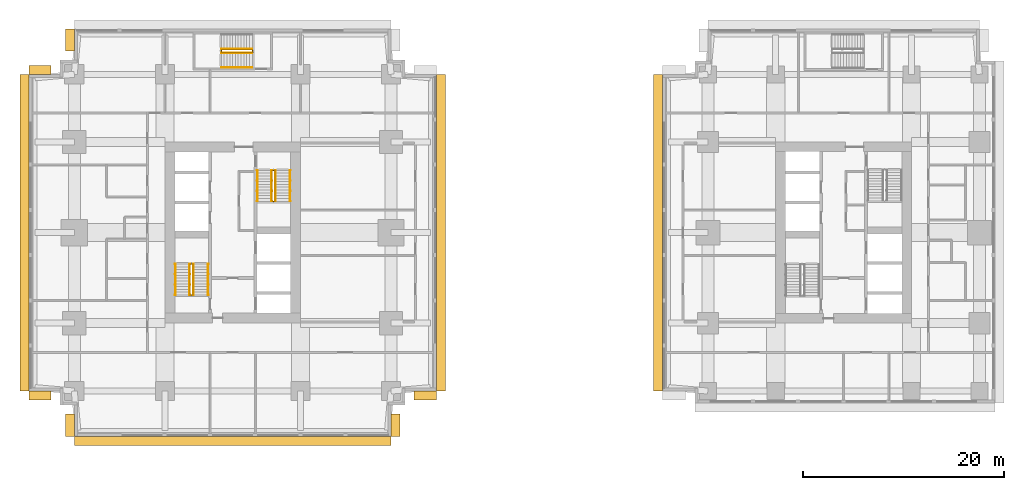
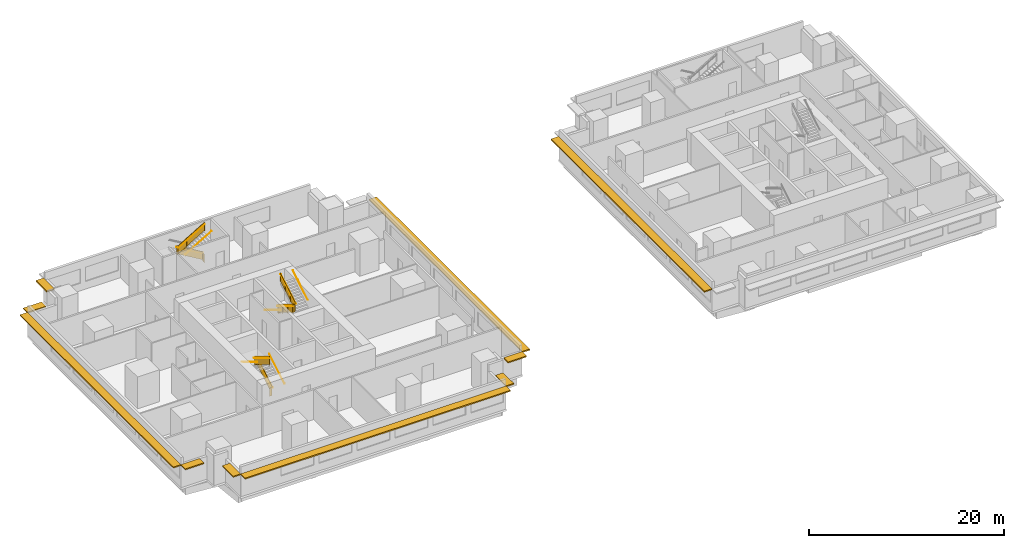
# One storey, part 9 of 11: 14 railings, 10 shading devices.
"""IFC4 building model written with IfcOpenShell, lengths in metres."""

from ifc_helpers import new_model, si_unit, direction, frame, origin, origin_2d, place, context, subcontext, project, spatial, polyline, rectangle, circle, outline, extrude, material, layer, layer_set, type_object, element, save


model = new_model("IFC4")

# Units and contexts
model_context = context("Model", 3, precision=1e-05, world=origin(), true_north=direction((0.0, 1.0)))
body_context = subcontext(model_context, "Body", "Model", "MODEL_VIEW")
ifc_project = project(units=[si_unit("LENGTHUNIT", "METRE"), si_unit("AREAUNIT", "SQUARE_METRE"), si_unit("VOLUMEUNIT", "CUBIC_METRE"), si_unit("PLANEANGLEUNIT", "RADIAN"), si_unit("MASSUNIT", "GRAM", prefix="KILO")], contexts=[model_context])

# Site, building, storey
site_placement = place(None, origin())
site = spatial("IfcSite", under=ifc_project, at=site_placement, CompositionType="ELEMENT")
building_placement = place(site_placement, origin())
building = spatial("IfcBuilding", under=site, at=building_placement, Name="Namib Vertical Campus", CompositionType="ELEMENT")
storey_placement = place(building_placement, frame((0.0, 0.0, 97.0)))
storey = spatial("IfcBuildingStorey", under=building, at=storey_placement, Name="L22", CompositionType="ELEMENT", Elevation=97.0)

# Railings
ifc_material_1 = material(Name="Steel handrail", Category="steel")
railing_type_1 = type_object("IfcRailingType", Name="Handrail 900", PredefinedType="HANDRAIL", material=ifc_material_1)
railing_1_placement = place(storey_placement, frame((17.800048828125, 14.050048828125, 0.166748046875)))
element("IfcRailing", 1, at=railing_1_placement, inside=storey, type_object=railing_type_1, Name="Handrail HR1 A-S1 L22 1", PredefinedType="HANDRAIL", context=body_context, shape_type="SweptSolid", body=[
    extrude(circle(Radius=0.02392578125, at=origin_2d()), frame((0.0, 0.0, 0.8759765625), z_axis=(0.0, 0.859290745958, 0.51148745235), x_axis=(-1.0, 0.0, 0.0)), (0.0, 0.0, 1.0), 3.584228515625),
    extrude(circle(Radius=0.008056640625, at=origin_2d()), frame((0.0, 0.0, 0.8759765625), z_axis=(1.0, 0.0, 0.0), x_axis=(0.0, 0.0, 1.0)), (0.0, 0.0, 1.0), 0.050048828125),
    extrude(circle(Radius=0.008056640625, at=origin_2d()), frame((0.0, 1.026611328125, 1.48681640625), z_axis=(1.0, 0.0, 0.0), x_axis=(0.0, 0.0, 1.0)), (0.0, 0.0, 1.0), 0.050048828125),
    extrude(circle(Radius=0.008056640625, at=origin_2d()), frame((0.0, 2.05322265625, 2.09814453125), z_axis=(1.0, 0.0, 0.0), x_axis=(0.0, 0.0, 1.0)), (0.0, 0.0, 1.0), 0.050048828125),
    extrude(circle(Radius=0.008056640625, at=origin_2d()), frame((0.0, 3.079833984375, 2.708984375), z_axis=(1.0, 0.0, 0.0), x_axis=(0.0, 0.0, 1.0)), (0.0, 0.0, 1.0), 0.050048828125),
])
railing_2_placement = place(storey_placement, frame((14.550048828125, 17.1298828125, 2.166748046875)))
element("IfcRailing", 2, at=railing_2_placement, inside=storey, type_object=railing_type_1, Name="Handrail HR1 A-S1 L22 2", PredefinedType="HANDRAIL", context=body_context, shape_type="SweptSolid", body=[
    extrude(circle(Radius=0.02392578125, at=origin_2d()), frame((0.0, 0.0, 0.8759765625), z_axis=(0.0, -0.859290745958, 0.51148745235), x_axis=(1.0, 0.0, 0.0)), (0.0, 0.0, 1.0), 3.584228515625),
    extrude(circle(Radius=0.008056640625, at=origin_2d()), frame((0.0, 0.0, 0.8759765625), z_axis=(-1.0, 0.0, 0.0), x_axis=(0.0, 0.0, 1.0)), (0.0, 0.0, 1.0), 0.050048828125),
    extrude(circle(Radius=0.008056640625, at=origin_2d()), frame((0.0, -1.026611328125, 1.48681640625), z_axis=(-1.0, 0.0, 0.0), x_axis=(0.0, 0.0, 1.0)), (0.0, 0.0, 1.0), 0.050048828125),
    extrude(circle(Radius=0.008056640625, at=origin_2d()), frame((0.0, -2.05322265625, 2.09814453125), z_axis=(-1.0, 0.0, 0.0), x_axis=(0.0, 0.0, 1.0)), (0.0, 0.0, 1.0), 0.050048828125),
    extrude(circle(Radius=0.008056640625, at=origin_2d()), frame((0.0, -3.079833984375, 2.708984375), z_axis=(-1.0, 0.0, 0.0), x_axis=(0.0, 0.0, 1.0)), (0.0, 0.0, 1.0), 0.050048828125),
])
railing_3_placement = place(storey_placement, frame((16.375, 14.050048828125, 0.166748046875)))
element("IfcRailing", 3, at=railing_3_placement, inside=storey, type_object=railing_type_1, Name="Handrail HR1 A-S1 L22 1 at the well", PredefinedType="HANDRAIL", context=body_context, shape_type="SweptSolid", body=[
    extrude(circle(Radius=0.02392578125, at=origin_2d()), frame((0.0, 0.0, 0.8759765625), z_axis=(0.0, 0.859290745958, 0.51148745235), x_axis=(-1.0, 0.0, 0.0)), (0.0, 0.0, 1.0), 3.584228515625),
    extrude(circle(Radius=0.008056640625, at=origin_2d()), frame((0.0, 0.0, 0.8759765625), z_axis=(-1.0, 0.0, 0.0), x_axis=(0.0, 0.0, 1.0)), (0.0, 0.0, 1.0), 0.0400390625),
    extrude(circle(Radius=0.008056640625, at=origin_2d()), frame((0.0, 1.026611328125, 1.48681640625), z_axis=(-1.0, 0.0, 0.0), x_axis=(0.0, 0.0, 1.0)), (0.0, 0.0, 1.0), 0.0400390625),
    extrude(circle(Radius=0.008056640625, at=origin_2d()), frame((0.0, 2.05322265625, 2.09814453125), z_axis=(-1.0, 0.0, 0.0), x_axis=(0.0, 0.0, 1.0)), (0.0, 0.0, 1.0), 0.0400390625),
    extrude(circle(Radius=0.008056640625, at=origin_2d()), frame((0.0, 3.079833984375, 2.708984375), z_axis=(-1.0, 0.0, 0.0), x_axis=(0.0, 0.0, 1.0)), (0.0, 0.0, 1.0), 0.0400390625),
])
railing_4_placement = place(storey_placement, frame((15.97509765625, 17.1298828125, 2.166748046875)))
element("IfcRailing", 4, at=railing_4_placement, inside=storey, type_object=railing_type_1, Name="Handrail HR1 A-S1 L22 2 at the well", PredefinedType="HANDRAIL", context=body_context, shape_type="SweptSolid", body=[
    extrude(circle(Radius=0.02392578125, at=origin_2d()), frame((0.0, 0.0, 0.8759765625), z_axis=(0.0, -0.859290745958, 0.51148745235), x_axis=(1.0, 0.0, 0.0)), (0.0, 0.0, 1.0), 3.584228515625),
    extrude(circle(Radius=0.008056640625, at=origin_2d()), frame((0.0, 0.0, 0.8759765625), z_axis=(1.0, 0.0, 0.0), x_axis=(0.0, 0.0, 1.0)), (0.0, 0.0, 1.0), 0.0400390625),
    extrude(circle(Radius=0.008056640625, at=origin_2d()), frame((0.0, -1.026611328125, 1.48681640625), z_axis=(1.0, 0.0, 0.0), x_axis=(0.0, 0.0, 1.0)), (0.0, 0.0, 1.0), 0.0400390625),
    extrude(circle(Radius=0.008056640625, at=origin_2d()), frame((0.0, -2.05322265625, 2.09814453125), z_axis=(1.0, 0.0, 0.0), x_axis=(0.0, 0.0, 1.0)), (0.0, 0.0, 1.0), 0.0400390625),
    extrude(circle(Radius=0.008056640625, at=origin_2d()), frame((0.0, -3.079833984375, 2.708984375), z_axis=(1.0, 0.0, 0.0), x_axis=(0.0, 0.0, 1.0)), (0.0, 0.0, 1.0), 0.0400390625),
])
railing_5_placement = place(storey_placement, frame((22.699951171875, 26.449951171875, 0.166748046875)))
element("IfcRailing", 5, at=railing_5_placement, inside=storey, type_object=railing_type_1, Name="Handrail HR1 A-S2 L22 1", PredefinedType="HANDRAIL", context=body_context, shape_type="SweptSolid", body=[
    extrude(circle(Radius=0.02392578125, at=origin_2d()), frame((0.0, 0.0, 0.8759765625), z_axis=(0.0, -0.859290745958, 0.51148745235), x_axis=(1.0, 0.0, 0.0)), (0.0, 0.0, 1.0), 3.584228515625),
    extrude(circle(Radius=0.008056640625, at=origin_2d()), frame((0.0, 0.0, 0.8759765625), z_axis=(-1.0, 0.0, 0.0), x_axis=(0.0, 0.0, 1.0)), (0.0, 0.0, 1.0), 0.050048828125),
    extrude(circle(Radius=0.008056640625, at=origin_2d()), frame((0.0, -1.026611328125, 1.48681640625), z_axis=(-1.0, 0.0, 0.0), x_axis=(0.0, 0.0, 1.0)), (0.0, 0.0, 1.0), 0.050048828125),
    extrude(circle(Radius=0.008056640625, at=origin_2d()), frame((0.0, -2.05322265625, 2.09814453125), z_axis=(-1.0, 0.0, 0.0), x_axis=(0.0, 0.0, 1.0)), (0.0, 0.0, 1.0), 0.050048828125),
    extrude(circle(Radius=0.008056640625, at=origin_2d()), frame((0.0, -3.079833984375, 2.708984375), z_axis=(-1.0, 0.0, 0.0), x_axis=(0.0, 0.0, 1.0)), (0.0, 0.0, 1.0), 0.050048828125),
])
railing_6_placement = place(storey_placement, frame((25.949951171875, 23.3701171875, 2.166748046875)))
element("IfcRailing", 6, at=railing_6_placement, inside=storey, type_object=railing_type_1, Name="Handrail HR1 A-S2 L22 2", PredefinedType="HANDRAIL", context=body_context, shape_type="SweptSolid", body=[
    extrude(circle(Radius=0.02392578125, at=origin_2d()), frame((0.0, 0.0, 0.8759765625), z_axis=(0.0, 0.859290745958, 0.51148745235), x_axis=(-1.0, 0.0, 0.0)), (0.0, 0.0, 1.0), 3.584228515625),
    extrude(circle(Radius=0.008056640625, at=origin_2d()), frame((0.0, 0.0, 0.8759765625), z_axis=(1.0, 0.0, 0.0), x_axis=(0.0, 0.0, 1.0)), (0.0, 0.0, 1.0), 0.050048828125),
    extrude(circle(Radius=0.008056640625, at=origin_2d()), frame((0.0, 1.026611328125, 1.48681640625), z_axis=(1.0, 0.0, 0.0), x_axis=(0.0, 0.0, 1.0)), (0.0, 0.0, 1.0), 0.050048828125),
    extrude(circle(Radius=0.008056640625, at=origin_2d()), frame((0.0, 2.05322265625, 2.09814453125), z_axis=(1.0, 0.0, 0.0), x_axis=(0.0, 0.0, 1.0)), (0.0, 0.0, 1.0), 0.050048828125),
    extrude(circle(Radius=0.008056640625, at=origin_2d()), frame((0.0, 3.079833984375, 2.708984375), z_axis=(1.0, 0.0, 0.0), x_axis=(0.0, 0.0, 1.0)), (0.0, 0.0, 1.0), 0.050048828125),
])
railing_7_placement = place(storey_placement, frame((24.125, 26.449951171875, 0.166748046875)))
element("IfcRailing", 7, at=railing_7_placement, inside=storey, type_object=railing_type_1, Name="Handrail HR1 A-S2 L22 1 at the well", PredefinedType="HANDRAIL", context=body_context, shape_type="SweptSolid", body=[
    extrude(circle(Radius=0.02392578125, at=origin_2d()), frame((0.0, 0.0, 0.8759765625), z_axis=(0.0, -0.859290745958, 0.51148745235), x_axis=(1.0, 0.0, 0.0)), (0.0, 0.0, 1.0), 3.584228515625),
    extrude(circle(Radius=0.008056640625, at=origin_2d()), frame((0.0, 0.0, 0.8759765625), z_axis=(1.0, 0.0, 0.0), x_axis=(0.0, 0.0, 1.0)), (0.0, 0.0, 1.0), 0.0400390625),
    extrude(circle(Radius=0.008056640625, at=origin_2d()), frame((0.0, -1.026611328125, 1.48681640625), z_axis=(1.0, 0.0, 0.0), x_axis=(0.0, 0.0, 1.0)), (0.0, 0.0, 1.0), 0.0400390625),
    extrude(circle(Radius=0.008056640625, at=origin_2d()), frame((0.0, -2.05322265625, 2.09814453125), z_axis=(1.0, 0.0, 0.0), x_axis=(0.0, 0.0, 1.0)), (0.0, 0.0, 1.0), 0.0400390625),
    extrude(circle(Radius=0.008056640625, at=origin_2d()), frame((0.0, -3.079833984375, 2.708984375), z_axis=(1.0, 0.0, 0.0), x_axis=(0.0, 0.0, 1.0)), (0.0, 0.0, 1.0), 0.0400390625),
])
railing_8_placement = place(storey_placement, frame((24.52490234375, 23.3701171875, 2.166748046875)))
element("IfcRailing", 8, at=railing_8_placement, inside=storey, type_object=railing_type_1, Name="Handrail HR1 A-S2 L22 2 at the well", PredefinedType="HANDRAIL", context=body_context, shape_type="SweptSolid", body=[
    extrude(circle(Radius=0.02392578125, at=origin_2d()), frame((0.0, 0.0, 0.8759765625), z_axis=(0.0, 0.859290745958, 0.51148745235), x_axis=(-1.0, 0.0, 0.0)), (0.0, 0.0, 1.0), 3.584228515625),
    extrude(circle(Radius=0.008056640625, at=origin_2d()), frame((0.0, 0.0, 0.8759765625), z_axis=(-1.0, 0.0, 0.0), x_axis=(0.0, 0.0, 1.0)), (0.0, 0.0, 1.0), 0.0400390625),
    extrude(circle(Radius=0.008056640625, at=origin_2d()), frame((0.0, 1.026611328125, 1.48681640625), z_axis=(-1.0, 0.0, 0.0), x_axis=(0.0, 0.0, 1.0)), (0.0, 0.0, 1.0), 0.0400390625),
    extrude(circle(Radius=0.008056640625, at=origin_2d()), frame((0.0, 2.05322265625, 2.09814453125), z_axis=(-1.0, 0.0, 0.0), x_axis=(0.0, 0.0, 1.0)), (0.0, 0.0, 1.0), 0.0400390625),
    extrude(circle(Radius=0.008056640625, at=origin_2d()), frame((0.0, 3.079833984375, 2.708984375), z_axis=(-1.0, 0.0, 0.0), x_axis=(0.0, 0.0, 1.0)), (0.0, 0.0, 1.0), 0.0400390625),
])
railing_9_placement = place(storey_placement, frame((19.1201171875, 36.699951171875, 2.166748046875)))
element("IfcRailing", 9, at=railing_9_placement, inside=storey, type_object=railing_type_1, Name="Handrail HR1 A-S3 L22 2", PredefinedType="HANDRAIL", context=body_context, shape_type="SweptSolid", body=[
    extrude(circle(Radius=0.02392578125, at=origin_2d()), frame((0.0, 0.0, 0.8759765625), z_axis=(0.859290745958, 0.0, 0.51148745235), x_axis=(0.0, 1.0, 0.0)), (0.0, 0.0, 1.0), 3.584228515625),
    extrude(circle(Radius=0.008056640625, at=origin_2d()), frame((0.0, 0.0, 0.8759765625), z_axis=(0.0, -1.0, 0.0), x_axis=(0.0, 0.0, 1.0)), (0.0, 0.0, 1.0), 0.050048828125),
    extrude(circle(Radius=0.008056640625, at=origin_2d()), frame((1.026611328125, 0.0, 1.48681640625), z_axis=(0.0, -1.0, 0.0), x_axis=(0.0, 0.0, 1.0)), (0.0, 0.0, 1.0), 0.050048828125),
    extrude(circle(Radius=0.008056640625, at=origin_2d()), frame((2.05322265625, 0.0, 2.09814453125), z_axis=(0.0, -1.0, 0.0), x_axis=(0.0, 0.0, 1.0)), (0.0, 0.0, 1.0), 0.050048828125),
    extrude(circle(Radius=0.008056640625, at=origin_2d()), frame((3.079833984375, 0.0, 2.708984375), z_axis=(0.0, -1.0, 0.0), x_axis=(0.0, 0.0, 1.0)), (0.0, 0.0, 1.0), 0.050048828125),
])
railing_10_placement = place(storey_placement, frame((22.199951171875, 38.52490234375, 0.166748046875)))
element("IfcRailing", 10, at=railing_10_placement, inside=storey, type_object=railing_type_1, Name="Handrail HR1 A-S3 L22 1 at the well", PredefinedType="HANDRAIL", context=body_context, shape_type="SweptSolid", body=[
    extrude(circle(Radius=0.02392578125, at=origin_2d()), frame((0.0, 0.0, 0.8759765625), z_axis=(-0.859290745958, 0.0, 0.51148745235), x_axis=(0.0, -1.0, 0.0)), (0.0, 0.0, 1.0), 3.584228515625),
    extrude(circle(Radius=0.008056640625, at=origin_2d()), frame((0.0, 0.0, 0.8759765625), z_axis=(0.0, -1.0, 0.0), x_axis=(0.0, 0.0, 1.0)), (0.0, 0.0, 1.0), 0.0400390625),
    extrude(circle(Radius=0.008056640625, at=origin_2d()), frame((-1.026611328125, 0.0, 1.48681640625), z_axis=(0.0, -1.0, 0.0), x_axis=(0.0, 0.0, 1.0)), (0.0, 0.0, 1.0), 0.0400390625),
    extrude(circle(Radius=0.008056640625, at=origin_2d()), frame((-2.05322265625, 0.0, 2.09814453125), z_axis=(0.0, -1.0, 0.0), x_axis=(0.0, 0.0, 1.0)), (0.0, 0.0, 1.0), 0.0400390625),
    extrude(circle(Radius=0.008056640625, at=origin_2d()), frame((-3.079833984375, 0.0, 2.708984375), z_axis=(0.0, -1.0, 0.0), x_axis=(0.0, 0.0, 1.0)), (0.0, 0.0, 1.0), 0.0400390625),
])
railing_11_placement = place(storey_placement, frame((19.1201171875, 38.125, 2.166748046875)))
element("IfcRailing", 11, at=railing_11_placement, inside=storey, type_object=railing_type_1, Name="Handrail HR1 A-S3 L22 2 at the well", PredefinedType="HANDRAIL", context=body_context, shape_type="SweptSolid", body=[
    extrude(circle(Radius=0.02392578125, at=origin_2d()), frame((0.0, 0.0, 0.8759765625), z_axis=(0.859290745958, 0.0, 0.51148745235), x_axis=(0.0, 1.0, 0.0)), (0.0, 0.0, 1.0), 3.584228515625),
    extrude(circle(Radius=0.008056640625, at=origin_2d()), frame((0.0, 0.0, 0.8759765625), z_axis=(0.0, 1.0, 0.0), x_axis=(0.0, 0.0, 1.0)), (0.0, 0.0, 1.0), 0.0400390625),
    extrude(circle(Radius=0.008056640625, at=origin_2d()), frame((1.026611328125, 0.0, 1.48681640625), z_axis=(0.0, 1.0, 0.0), x_axis=(0.0, 0.0, 1.0)), (0.0, 0.0, 1.0), 0.0400390625),
    extrude(circle(Radius=0.008056640625, at=origin_2d()), frame((2.05322265625, 0.0, 2.09814453125), z_axis=(0.0, 1.0, 0.0), x_axis=(0.0, 0.0, 1.0)), (0.0, 0.0, 1.0), 0.0400390625),
    extrude(circle(Radius=0.008056640625, at=origin_2d()), frame((3.079833984375, 0.0, 2.708984375), z_axis=(0.0, 1.0, 0.0), x_axis=(0.0, 0.0, 1.0)), (0.0, 0.0, 1.0), 0.0400390625),
])
ifc_material_2 = material(Name="Steel balustrade", Category="steel")
railing_type_2 = type_object("IfcRailingType", Name="Stair guard 1100", PredefinedType="GUARDRAIL", material=ifc_material_2)
railing_12_placement = place(storey_placement, frame((16.02490234375, 14.050048828125, 0.0)))
element("IfcRailing", 12, at=railing_12_placement, inside=storey, type_object=railing_type_2, Name="Stair guard GR1 A-S1 L22", PredefinedType="GUARDRAIL", context=body_context, shape_type="SweptSolid", body=[
    extrude(circle(Radius=0.02392578125, at=origin_2d()), frame((0.0, 0.0, 1.076171875), z_axis=(1.0, 0.0, 0.0), x_axis=(0.0, 1.0, 0.0)), (0.0, 0.0, 1.0), 0.300048828125),
    extrude(outline(polyline([(0.02099609375, 0.050048828125), (0.279052734375, 0.050048828125), (0.279052734375, 1.052001953125), (0.02099609375, 1.052001953125), (0.02099609375, 0.050048828125)])), frame((0.0, 0.010009765625, 0.0), z_axis=(0.0, -1.0, 0.0), x_axis=(1.0, 0.0, 0.0)), (0.0, 0.0, 1.0), 0.02001953125),
    extrude(circle(Radius=0.02392578125, at=origin_2d()), frame((0.300048828125, 0.0, 1.076171875), z_axis=(0.0, 0.0, 1.0), x_axis=(1.0, 0.0, 0.0)), (0.0, 0.0, 1.0), 0.166748046875),
    extrude(circle(Radius=0.02392578125, at=origin_2d()), frame((0.300048828125, 0.0, 1.24267578125), z_axis=(0.0, 0.859290745958, 0.51148745235), x_axis=(-1.0, 0.0, 0.0)), (0.0, 0.0, 1.0), 3.584228515625),
    extrude(outline(polyline([(0.02099609375, 0.0625), (3.058837890625, 1.870849609375), (3.058837890625, 2.872802734375), (0.02099609375, 1.064453125), (0.02099609375, 0.0625)])), frame((0.2900390625, 0.0, 0.166748046875), z_axis=(1.0, 0.0, 0.0), x_axis=(0.0, 1.0, 0.0)), (0.0, 0.0, 1.0), 0.02001953125),
    extrude(circle(Radius=0.02392578125, at=origin_2d()), frame((0.300048828125, 3.079833984375, 3.076171875), z_axis=(-1.0, 0.0, 0.0), x_axis=(0.0, -1.0, 0.0)), (0.0, 0.0, 1.0), 0.300048828125),
    extrude(outline(polyline([(0.02099609375, 0.050048828125), (0.279052734375, 0.050048828125), (0.279052734375, 1.052001953125), (0.02099609375, 1.052001953125), (0.02099609375, 0.050048828125)])), frame((0.300048828125, 3.06982421875, 2.0), z_axis=(0.0, 1.0, 0.0), x_axis=(-1.0, 0.0, 0.0)), (0.0, 0.0, 1.0), 0.02001953125),
    extrude(circle(Radius=0.02392578125, at=origin_2d()), frame((0.0, 3.079833984375, 3.076171875), z_axis=(0.0, 0.0, 1.0), x_axis=(1.0, 0.0, 0.0)), (0.0, 0.0, 1.0), 0.166748046875),
    extrude(circle(Radius=0.02392578125, at=origin_2d()), frame((0.0, 3.079833984375, 3.24267578125), z_axis=(0.0, -0.859290745958, 0.51148745235), x_axis=(1.0, 0.0, 0.0)), (0.0, 0.0, 1.0), 3.584228515625),
    extrude(outline(polyline([(0.02099609375, 0.0625), (3.058837890625, 1.870849609375), (3.058837890625, 2.872802734375), (0.02099609375, 1.064453125), (0.02099609375, 0.0625)])), frame((0.010009765625, 3.079833984375, 2.166748046875), z_axis=(-1.0, 0.0, 0.0), x_axis=(0.0, -1.0, 0.0)), (0.0, 0.0, 1.0), 0.02001953125),
    extrude(circle(Radius=0.02392578125, at=origin_2d()), frame((0.0, 0.0, 5.076171875), z_axis=(0.0, -1.0, 0.0), x_axis=(1.0, 0.0, 0.0)), (0.0, 0.0, 1.0), 0.050048828125),
    extrude(outline(polyline([(0.02099609375, 0.050048828125), (0.029052734375, 0.050048828125), (0.029052734375, 1.052001953125), (0.02099609375, 1.052001953125), (0.02099609375, 0.050048828125)])), frame((0.010009765625, 0.0, 4.0), z_axis=(-1.0, 0.0, 0.0), x_axis=(0.0, -1.0, 0.0)), (0.0, 0.0, 1.0), 0.02001953125),
    extrude(circle(Radius=0.02099609375, at=origin_2d()), origin(), (0.0, 0.0, 1.0), 1.052001953125),
    extrude(circle(Radius=0.02099609375, at=origin_2d()), frame((0.300048828125, 0.0, 0.166748046875)), (0.0, 0.0, 1.0), 1.052001953125),
    extrude(circle(Radius=0.02099609375, at=origin_2d()), frame((0.300048828125, 1.026611328125, 0.666748046875)), (0.0, 0.0, 1.0), 1.1630859375),
    extrude(circle(Radius=0.02099609375, at=origin_2d()), frame((0.300048828125, 2.05322265625, 1.33349609375)), (0.0, 0.0, 1.0), 1.107421875),
    extrude(circle(Radius=0.02099609375, at=origin_2d()), frame((0.300048828125, 3.079833984375, 2.0)), (0.0, 0.0, 1.0), 1.052001953125),
    extrude(circle(Radius=0.02099609375, at=origin_2d()), frame((0.0, 3.079833984375, 2.166748046875)), (0.0, 0.0, 1.0), 1.052001953125),
    extrude(circle(Radius=0.02099609375, at=origin_2d()), frame((0.0, 2.05322265625, 2.666748046875)), (0.0, 0.0, 1.0), 1.1630859375),
    extrude(circle(Radius=0.02099609375, at=origin_2d()), frame((0.0, 1.026611328125, 3.33349609375)), (0.0, 0.0, 1.0), 1.107421875),
    extrude(circle(Radius=0.02099609375, at=origin_2d()), frame((0.0, 0.0, 4.0)), (0.0, 0.0, 1.0), 1.052001953125),
    extrude(circle(Radius=0.02099609375, at=origin_2d()), frame((0.0, -0.050048828125, 4.0)), (0.0, 0.0, 1.0), 1.052001953125),
])
railing_13_placement = place(storey_placement, frame((24.47509765625, 26.449951171875, 0.0)))
element("IfcRailing", 13, at=railing_13_placement, inside=storey, type_object=railing_type_2, Name="Stair guard GR1 A-S2 L22", PredefinedType="GUARDRAIL", context=body_context, shape_type="SweptSolid", body=[
    extrude(circle(Radius=0.02392578125, at=origin_2d()), frame((0.0, 0.0, 1.076171875), z_axis=(-1.0, 0.0, 0.0), x_axis=(0.0, -1.0, 0.0)), (0.0, 0.0, 1.0), 0.300048828125),
    extrude(outline(polyline([(0.02099609375, 0.050048828125), (0.279052734375, 0.050048828125), (0.279052734375, 1.052001953125), (0.02099609375, 1.052001953125), (0.02099609375, 0.050048828125)])), frame((0.0, -0.010009765625, 0.0), z_axis=(0.0, 1.0, 0.0), x_axis=(-1.0, 0.0, 0.0)), (0.0, 0.0, 1.0), 0.02001953125),
    extrude(circle(Radius=0.02392578125, at=origin_2d()), frame((-0.300048828125, 0.0, 1.076171875), z_axis=(0.0, 0.0, 1.0), x_axis=(1.0, 0.0, 0.0)), (0.0, 0.0, 1.0), 0.166748046875),
    extrude(circle(Radius=0.02392578125, at=origin_2d()), frame((-0.300048828125, 0.0, 1.24267578125), z_axis=(0.0, -0.859290745958, 0.51148745235), x_axis=(1.0, 0.0, 0.0)), (0.0, 0.0, 1.0), 3.584228515625),
    extrude(outline(polyline([(0.02099609375, 0.0625), (3.058837890625, 1.870849609375), (3.058837890625, 2.872802734375), (0.02099609375, 1.064453125), (0.02099609375, 0.0625)])), frame((-0.2900390625, 0.0, 0.166748046875), z_axis=(-1.0, 0.0, 0.0), x_axis=(0.0, -1.0, 0.0)), (0.0, 0.0, 1.0), 0.02001953125),
    extrude(circle(Radius=0.02392578125, at=origin_2d()), frame((-0.300048828125, -3.079833984375, 3.076171875), z_axis=(1.0, 0.0, 0.0), x_axis=(0.0, 1.0, 0.0)), (0.0, 0.0, 1.0), 0.300048828125),
    extrude(outline(polyline([(0.02099609375, 0.050048828125), (0.279052734375, 0.050048828125), (0.279052734375, 1.052001953125), (0.02099609375, 1.052001953125), (0.02099609375, 0.050048828125)])), frame((-0.300048828125, -3.06982421875, 2.0), z_axis=(0.0, -1.0, 0.0), x_axis=(1.0, 0.0, 0.0)), (0.0, 0.0, 1.0), 0.02001953125),
    extrude(circle(Radius=0.02392578125, at=origin_2d()), frame((0.0, -3.079833984375, 3.076171875), z_axis=(0.0, 0.0, 1.0), x_axis=(1.0, 0.0, 0.0)), (0.0, 0.0, 1.0), 0.166748046875),
    extrude(circle(Radius=0.02392578125, at=origin_2d()), frame((0.0, -3.079833984375, 3.24267578125), z_axis=(0.0, 0.859290745958, 0.51148745235), x_axis=(-1.0, 0.0, 0.0)), (0.0, 0.0, 1.0), 3.584228515625),
    extrude(outline(polyline([(0.02099609375, 0.0625), (3.058837890625, 1.870849609375), (3.058837890625, 2.872802734375), (0.02099609375, 1.064453125), (0.02099609375, 0.0625)])), frame((-0.010009765625, -3.079833984375, 2.166748046875), z_axis=(1.0, 0.0, 0.0), x_axis=(0.0, 1.0, 0.0)), (0.0, 0.0, 1.0), 0.02001953125),
    extrude(circle(Radius=0.02392578125, at=origin_2d()), frame((0.0, 0.0, 5.076171875), z_axis=(0.0, 1.0, 0.0), x_axis=(-1.0, 0.0, 0.0)), (0.0, 0.0, 1.0), 0.050048828125),
    extrude(outline(polyline([(0.02099609375, 0.050048828125), (0.029052734375, 0.050048828125), (0.029052734375, 1.052001953125), (0.02099609375, 1.052001953125), (0.02099609375, 0.050048828125)])), frame((-0.010009765625, 0.0, 4.0), z_axis=(1.0, 0.0, 0.0), x_axis=(0.0, 1.0, 0.0)), (0.0, 0.0, 1.0), 0.02001953125),
    extrude(circle(Radius=0.02099609375, at=origin_2d()), origin(), (0.0, 0.0, 1.0), 1.052001953125),
    extrude(circle(Radius=0.02099609375, at=origin_2d()), frame((-0.300048828125, 0.0, 0.166748046875)), (0.0, 0.0, 1.0), 1.052001953125),
    extrude(circle(Radius=0.02099609375, at=origin_2d()), frame((-0.300048828125, -1.026611328125, 0.666748046875)), (0.0, 0.0, 1.0), 1.1630859375),
    extrude(circle(Radius=0.02099609375, at=origin_2d()), frame((-0.300048828125, -2.05322265625, 1.33349609375)), (0.0, 0.0, 1.0), 1.107421875),
    extrude(circle(Radius=0.02099609375, at=origin_2d()), frame((-0.300048828125, -3.079833984375, 2.0)), (0.0, 0.0, 1.0), 1.052001953125),
    extrude(circle(Radius=0.02099609375, at=origin_2d()), frame((0.0, -3.079833984375, 2.166748046875)), (0.0, 0.0, 1.0), 1.052001953125),
    extrude(circle(Radius=0.02099609375, at=origin_2d()), frame((0.0, -2.05322265625, 2.666748046875)), (0.0, 0.0, 1.0), 1.1630859375),
    extrude(circle(Radius=0.02099609375, at=origin_2d()), frame((0.0, -1.026611328125, 3.33349609375)), (0.0, 0.0, 1.0), 1.107421875),
    extrude(circle(Radius=0.02099609375, at=origin_2d()), frame((0.0, 0.0, 4.0)), (0.0, 0.0, 1.0), 1.052001953125),
    extrude(circle(Radius=0.02099609375, at=origin_2d()), frame((0.0, 0.050048828125, 4.0)), (0.0, 0.0, 1.0), 1.052001953125),
])
railing_14_placement = place(storey_placement, frame((22.199951171875, 38.175048828125, 0.0)))
element("IfcRailing", 14, at=railing_14_placement, inside=storey, type_object=railing_type_2, Name="Stair guard GR1 A-S3 L22", PredefinedType="GUARDRAIL", context=body_context, shape_type="SweptSolid", body=[
    extrude(circle(Radius=0.02392578125, at=origin_2d()), frame((0.0, 0.0, 1.076171875), z_axis=(0.0, 1.0, 0.0), x_axis=(-1.0, 0.0, 0.0)), (0.0, 0.0, 1.0), 0.300048828125),
    extrude(outline(polyline([(0.02099609375, 0.050048828125), (0.279052734375, 0.050048828125), (0.279052734375, 1.052001953125), (0.02099609375, 1.052001953125), (0.02099609375, 0.050048828125)])), frame((-0.010009765625, 0.0, 0.0), z_axis=(1.0, 0.0, 0.0), x_axis=(0.0, 1.0, 0.0)), (0.0, 0.0, 1.0), 0.02001953125),
    extrude(circle(Radius=0.02392578125, at=origin_2d()), frame((0.0, 0.300048828125, 1.076171875), z_axis=(0.0, 0.0, 1.0), x_axis=(1.0, 0.0, 0.0)), (0.0, 0.0, 1.0), 0.166748046875),
    extrude(circle(Radius=0.02392578125, at=origin_2d()), frame((0.0, 0.300048828125, 1.24267578125), z_axis=(-0.859290745958, 0.0, 0.51148745235), x_axis=(0.0, -1.0, 0.0)), (0.0, 0.0, 1.0), 3.584228515625),
    extrude(outline(polyline([(0.02099609375, 0.0625), (3.058837890625, 1.870849609375), (3.058837890625, 2.872802734375), (0.02099609375, 1.064453125), (0.02099609375, 0.0625)])), frame((0.0, 0.2900390625, 0.166748046875), z_axis=(0.0, 1.0, 0.0), x_axis=(-1.0, 0.0, 0.0)), (0.0, 0.0, 1.0), 0.02001953125),
    extrude(circle(Radius=0.02392578125, at=origin_2d()), frame((-3.079833984375, 0.300048828125, 3.076171875), z_axis=(0.0, -1.0, 0.0), x_axis=(1.0, 0.0, 0.0)), (0.0, 0.0, 1.0), 0.300048828125),
    extrude(outline(polyline([(0.02099609375, 0.050048828125), (0.279052734375, 0.050048828125), (0.279052734375, 1.052001953125), (0.02099609375, 1.052001953125), (0.02099609375, 0.050048828125)])), frame((-3.06982421875, 0.300048828125, 2.0), z_axis=(-1.0, 0.0, 0.0), x_axis=(0.0, -1.0, 0.0)), (0.0, 0.0, 1.0), 0.02001953125),
    extrude(circle(Radius=0.02392578125, at=origin_2d()), frame((-3.079833984375, 0.0, 3.076171875), z_axis=(0.0, 0.0, 1.0), x_axis=(1.0, 0.0, 0.0)), (0.0, 0.0, 1.0), 0.166748046875),
    extrude(circle(Radius=0.02392578125, at=origin_2d()), frame((-3.079833984375, 0.0, 3.24267578125), z_axis=(0.859290745958, 0.0, 0.51148745235), x_axis=(0.0, 1.0, 0.0)), (0.0, 0.0, 1.0), 3.584228515625),
    extrude(outline(polyline([(0.02099609375, 0.0625), (3.058837890625, 1.870849609375), (3.058837890625, 2.872802734375), (0.02099609375, 1.064453125), (0.02099609375, 0.0625)])), frame((-3.079833984375, 0.010009765625, 2.166748046875), z_axis=(0.0, -1.0, 0.0), x_axis=(1.0, 0.0, 0.0)), (0.0, 0.0, 1.0), 0.02001953125),
    extrude(circle(Radius=0.02392578125, at=origin_2d()), frame((0.0, 0.0, 5.076171875), z_axis=(1.0, 0.0, 0.0), x_axis=(0.0, 1.0, 0.0)), (0.0, 0.0, 1.0), 0.050048828125),
    extrude(outline(polyline([(0.02099609375, 0.050048828125), (0.029052734375, 0.050048828125), (0.029052734375, 1.052001953125), (0.02099609375, 1.052001953125), (0.02099609375, 0.050048828125)])), frame((0.0, 0.010009765625, 4.0), z_axis=(0.0, -1.0, 0.0), x_axis=(1.0, 0.0, 0.0)), (0.0, 0.0, 1.0), 0.02001953125),
    extrude(circle(Radius=0.02099609375, at=origin_2d()), origin(), (0.0, 0.0, 1.0), 1.052001953125),
    extrude(circle(Radius=0.02099609375, at=origin_2d()), frame((0.0, 0.300048828125, 0.166748046875)), (0.0, 0.0, 1.0), 1.052001953125),
    extrude(circle(Radius=0.02099609375, at=origin_2d()), frame((-1.026611328125, 0.300048828125, 0.666748046875)), (0.0, 0.0, 1.0), 1.1630859375),
    extrude(circle(Radius=0.02099609375, at=origin_2d()), frame((-2.05322265625, 0.300048828125, 1.33349609375)), (0.0, 0.0, 1.0), 1.107421875),
    extrude(circle(Radius=0.02099609375, at=origin_2d()), frame((-3.079833984375, 0.300048828125, 2.0)), (0.0, 0.0, 1.0), 1.052001953125),
    extrude(circle(Radius=0.02099609375, at=origin_2d()), frame((-3.079833984375, 0.0, 2.166748046875)), (0.0, 0.0, 1.0), 1.052001953125),
    extrude(circle(Radius=0.02099609375, at=origin_2d()), frame((-2.05322265625, 0.0, 2.666748046875)), (0.0, 0.0, 1.0), 1.1630859375),
    extrude(circle(Radius=0.02099609375, at=origin_2d()), frame((-1.026611328125, 0.0, 3.33349609375)), (0.0, 0.0, 1.0), 1.107421875),
    extrude(circle(Radius=0.02099609375, at=origin_2d()), frame((0.0, 0.0, 4.0)), (0.0, 0.0, 1.0), 1.052001953125),
    extrude(circle(Radius=0.02099609375, at=origin_2d()), frame((0.050048828125, 0.0, 4.0)), (0.0, 0.0, 1.0), 1.052001953125),
])

# Shading devices
ifc_material_3 = material(Name="Concrete C40/50 precast", Category="concrete")
ifc_layer = layer(ifc_material_3, 0.14990234375)
ifc_layer_set = layer_set([ifc_layer], Name="Concrete C40/50 precast")
shading_device_type = type_object("IfcShadingDeviceType", Name="Sunshade hood 900", PredefinedType="SHUTTER", material=ifc_layer_set)
shading_device_1_placement = place(storey_placement, frame((20.25, -0.449951171875, 2.75), z_axis=(0.0, 0.0, 1.0), x_axis=(1.0, 0.0, 0.0)))
element("IfcShadingDevice", 15, at=shading_device_1_placement, inside=storey, type_object=shading_device_type, Name="Sunshade SH1 L22 1", PredefinedType="SHUTTER", context=body_context, shape_type="SweptSolid", body=[
    extrude(rectangle(XDim=31.5, YDim=0.89990234375, at=origin_2d()), origin(), (0.0, 0.0, 1.0), 0.14990234375),
])
for number, where, z_axis, x_axis, name in (
    (16, (36.449951171875, 1.10009765625, 2.75), (0.0, 0.0, 1.0), (0.0, 1.0, 0.0), "Sunshade SH1 L22 2"),
    (17, (39.39990234375, 4.050048828125, 2.75), (0.0, 0.0, 1.0), (1.0, 0.0, 0.0), "Sunshade SH1 L22 5"),
):
    element("IfcShadingDevice", number, at=place(storey_placement, frame(where, z_axis=z_axis, x_axis=x_axis)), inside=storey, type_object=shading_device_type, Name=name, PredefinedType="SHUTTER", context=body_context, shape_type="SweptSolid", body=[
        extrude(rectangle(XDim=2.199951171875, YDim=0.89990234375, at=origin_2d()), origin(), (0.0, 0.0, 1.0), 0.14990234375),
    ])
shading_device_2_placement = place(storey_placement, frame((40.949951171875, 20.25, 2.75), z_axis=(0.0, 0.0, 1.0), x_axis=(0.0, 1.0, 0.0)))
element("IfcShadingDevice", 18, at=shading_device_2_placement, inside=storey, type_object=shading_device_type, Name="Sunshade SH1 L22 6", PredefinedType="SHUTTER", context=body_context, shape_type="SweptSolid", body=[
    extrude(rectangle(XDim=31.5, YDim=0.89990234375, at=origin_2d()), origin(), (0.0, 0.0, 1.0), 0.14990234375),
])
for number, where, z_axis, x_axis, name in (
    (19, (4.050048828125, 39.39990234375, 2.75), (0.0, 0.0, 1.0), (0.0, -1.0, 0.0), "Sunshade SH1 L22 12"),
    (20, (1.10009765625, 36.449951171875, 2.75), (0.0, 0.0, 1.0), (-1.0, 0.0, 0.0), "Sunshade SH1 L22 15"),
):
    element("IfcShadingDevice", number, at=place(storey_placement, frame(where, z_axis=z_axis, x_axis=x_axis)), inside=storey, type_object=shading_device_type, Name=name, PredefinedType="SHUTTER", context=body_context, shape_type="SweptSolid", body=[
        extrude(rectangle(XDim=2.199951171875, YDim=0.89990234375, at=origin_2d()), origin(), (0.0, 0.0, 1.0), 0.14990234375),
    ])
shading_device_3_placement = place(storey_placement, frame((-0.449951171875, 20.25, 2.75), z_axis=(0.0, 0.0, 1.0), x_axis=(0.0, -1.0, 0.0)))
element("IfcShadingDevice", 21, at=shading_device_3_placement, inside=storey, type_object=shading_device_type, Name="Sunshade SH1 L22 16", PredefinedType="SHUTTER", context=body_context, shape_type="SweptSolid", body=[
    extrude(rectangle(XDim=31.5, YDim=0.89990234375, at=origin_2d()), origin(), (0.0, 0.0, 1.0), 0.14990234375),
])
for number, where, z_axis, x_axis, name in (
    (22, (1.10009765625, 4.050048828125, 2.75), (0.0, 0.0, 1.0), (1.0, 0.0, 0.0), "Sunshade SH1 L22 17"),
    (23, (4.050048828125, 1.10009765625, 2.75), (0.0, 0.0, 1.0), (0.0, -1.0, 0.0), "Sunshade SH1 L22 20"),
):
    element("IfcShadingDevice", number, at=place(storey_placement, frame(where, z_axis=z_axis, x_axis=x_axis)), inside=storey, type_object=shading_device_type, Name=name, PredefinedType="SHUTTER", context=body_context, shape_type="SweptSolid", body=[
        extrude(rectangle(XDim=2.199951171875, YDim=0.89990234375, at=origin_2d()), origin(), (0.0, 0.0, 1.0), 0.14990234375),
    ])
shading_device_4_placement = place(storey_placement, frame((62.550048828125, 20.25, 2.75), z_axis=(0.0, 0.0, 1.0), x_axis=(0.0, -1.0, 0.0)))
element("IfcShadingDevice", 24, at=shading_device_4_placement, inside=storey, type_object=shading_device_type, Name="Sunshade SH1 L22 12", PredefinedType="SHUTTER", context=body_context, shape_type="SweptSolid", body=[
    extrude(rectangle(XDim=31.5, YDim=0.89990234375, at=origin_2d()), origin(), (0.0, 0.0, 1.0), 0.14990234375),
])

save(model, "model.ifc")
